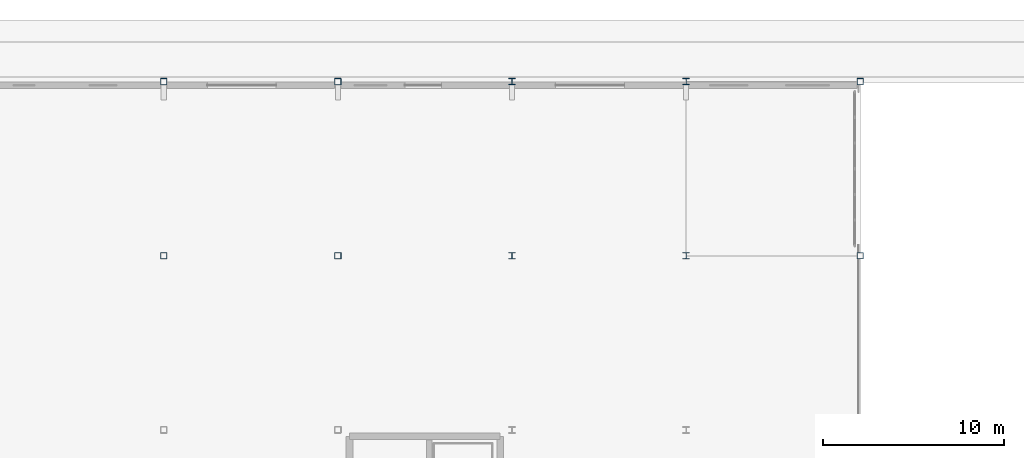
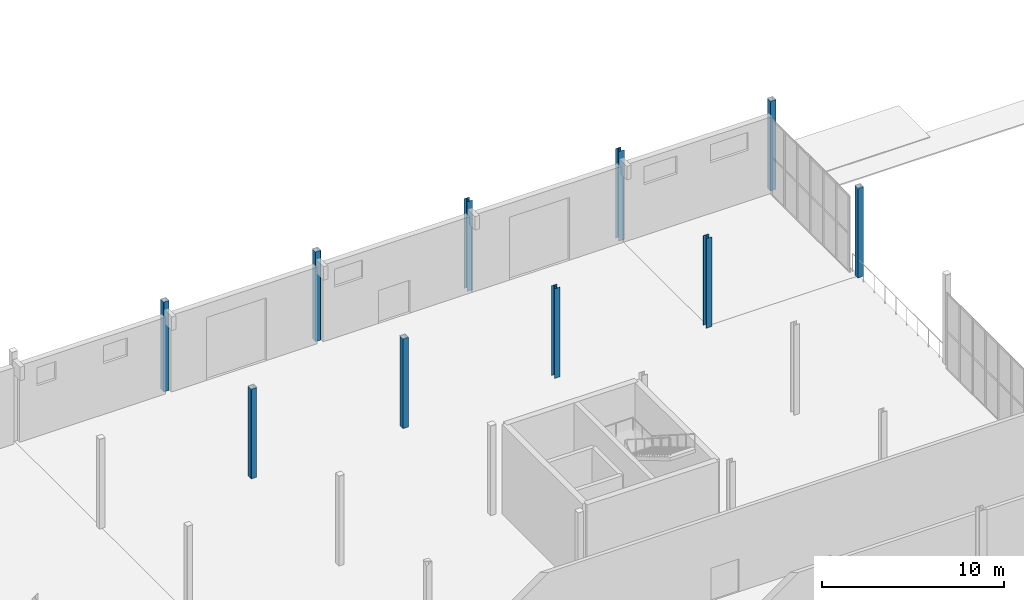
# One storey, part 24 of 139: 10 columns.
"""IFC4 building model written with IfcOpenShell, lengths in metres."""

from ifc_helpers import new_model, si_unit, direction, frame, origin, origin_2d, place, context, subcontext, project, spatial, hollow_rectangle, i_section, extrude, material, material_profile, profile_set, type_object, element, save


model = new_model("IFC4")

# Units and contexts
model_context = context("Model", 3, precision=1e-05, world=origin(), true_north=direction((0.0, 1.0)))
body_context = subcontext(model_context, "Body", "Model", "MODEL_VIEW")
ifc_project = project(units=[si_unit("LENGTHUNIT", "METRE"), si_unit("AREAUNIT", "SQUARE_METRE"), si_unit("VOLUMEUNIT", "CUBIC_METRE"), si_unit("PLANEANGLEUNIT", "RADIAN"), si_unit("MASSUNIT", "GRAM", prefix="KILO")], contexts=[model_context])

# Site, building, storey
site_placement = place(None, origin())
site = spatial("IfcSite", under=ifc_project, at=site_placement, CompositionType="ELEMENT")
building_placement = place(site_placement, origin())
building = spatial("IfcBuilding", under=site, at=building_placement, Name="Yeouljin Market Hall", CompositionType="ELEMENT")
storey_placement = place(building_placement, origin())
storey = spatial("IfcBuildingStorey", under=building, at=storey_placement, Name="L00", CompositionType="ELEMENT", Elevation=0.0)

# Columns
ifc_material_1 = material(Name="Steel SM355", Category="steel")
ifc_material_profile_1 = material_profile(ifc_material_1, i_section(OverallWidth=0.35009765625, OverallDepth=0.35009765625, WebThickness=0.011962890625, FlangeThickness=0.01904296875, FilletRadius=0.02001953125, at=origin_2d()), Name="H-350x350x12x19")
ifc_profile_set_1 = profile_set([ifc_material_profile_1], Name="Steel SM355")
column_type_1 = type_object("IfcColumnType", Name="Col_H-350x350x12x19", PredefinedType="COLUMN", material=ifc_profile_set_1)
for number, where, z_axis, x_axis, name in (
    (1, (112.199951171875, 108.0, 0.0), (0.0, 0.0, 1.0), (1.0, 0.0, 0.0), "Column G-13-11 (L00)"),
    (2, (112.199951171875, 117.60009765625, 0.0), (0.0, 0.0, 1.0), (1.0, 0.0, 0.0), "Column G-13-12 (L00)"),
    (3, (121.800048828125, 108.0, 0.0), (0.0, 0.0, 1.0), (1.0, 0.0, 0.0), "Column G-14-11 (L00)"),
    (4, (121.800048828125, 117.60009765625, 0.0), (0.0, 0.0, 1.0), (1.0, 0.0, 0.0), "Column G-14-12 (L00)"),
):
    element("IfcColumn", number, at=place(storey_placement, frame(where, z_axis=z_axis, x_axis=x_axis)), inside=storey, type_object=column_type_1, Name=name, PredefinedType="COLUMN", context=body_context, shape_type="SweptSolid", body=[
        extrude(i_section(OverallWidth=0.35009765625, OverallDepth=0.35009765625, WebThickness=0.011962890625, FlangeThickness=0.01904296875, FilletRadius=0.02001953125, at=origin_2d()), origin(), (0.0, 0.0, 1.0), 6.0),
    ])
ifc_material_2 = material(Name="Steel SM355", Category="steel")
ifc_material_profile_2 = material_profile(ifc_material_2, hollow_rectangle(XDim=0.35009765625, YDim=0.35009765625, WallThickness=0.011962890625, InnerFilletRadius=0.011962890625, OuterFilletRadius=0.01611328125, at=origin_2d()), Name="SHS-350x350x12")
ifc_profile_set_2 = profile_set([ifc_material_profile_2], Name="Steel SM355")
column_type_2 = type_object("IfcColumnType", Name="Col_SHS-350x350x12", PredefinedType="COLUMN", material=ifc_profile_set_2)
for number, where, z_axis, x_axis, name in (
    (5, (93.0, 108.0, 0.0), (0.0, 0.0, 1.0), (1.0, 0.0, 0.0), "Column G-11-11 (L00)"),
    (6, (93.0, 117.60009765625, 0.0), (0.0, 0.0, 1.0), (1.0, 0.0, 0.0), "Column G-11-12 (L00)"),
    (7, (102.60009765625, 108.0, 0.0), (0.0, 0.0, 1.0), (1.0, 0.0, 0.0), "Column G-12-11 (L00)"),
    (8, (102.60009765625, 117.60009765625, 0.0), (0.0, 0.0, 1.0), (1.0, 0.0, 0.0), "Column G-12-12 (L00)"),
    (9, (131.39990234375, 108.0, 0.0), (0.0, 0.0, 1.0), (1.0, 0.0, 0.0), "Column G-15-11 (L00)"),
    (10, (131.39990234375, 117.60009765625, 0.0), (0.0, 0.0, 1.0), (1.0, 0.0, 0.0), "Column G-15-12 (L00)"),
):
    element("IfcColumn", number, at=place(storey_placement, frame(where, z_axis=z_axis, x_axis=x_axis)), inside=storey, type_object=column_type_2, Name=name, PredefinedType="COLUMN", context=body_context, shape_type="SweptSolid", body=[
        extrude(hollow_rectangle(XDim=0.35009765625, YDim=0.35009765625, WallThickness=0.011962890625, InnerFilletRadius=0.011962890625, OuterFilletRadius=0.01611328125, at=origin_2d()), origin(), (0.0, 0.0, 1.0), 6.0),
    ])

save(model, "model.ifc")
